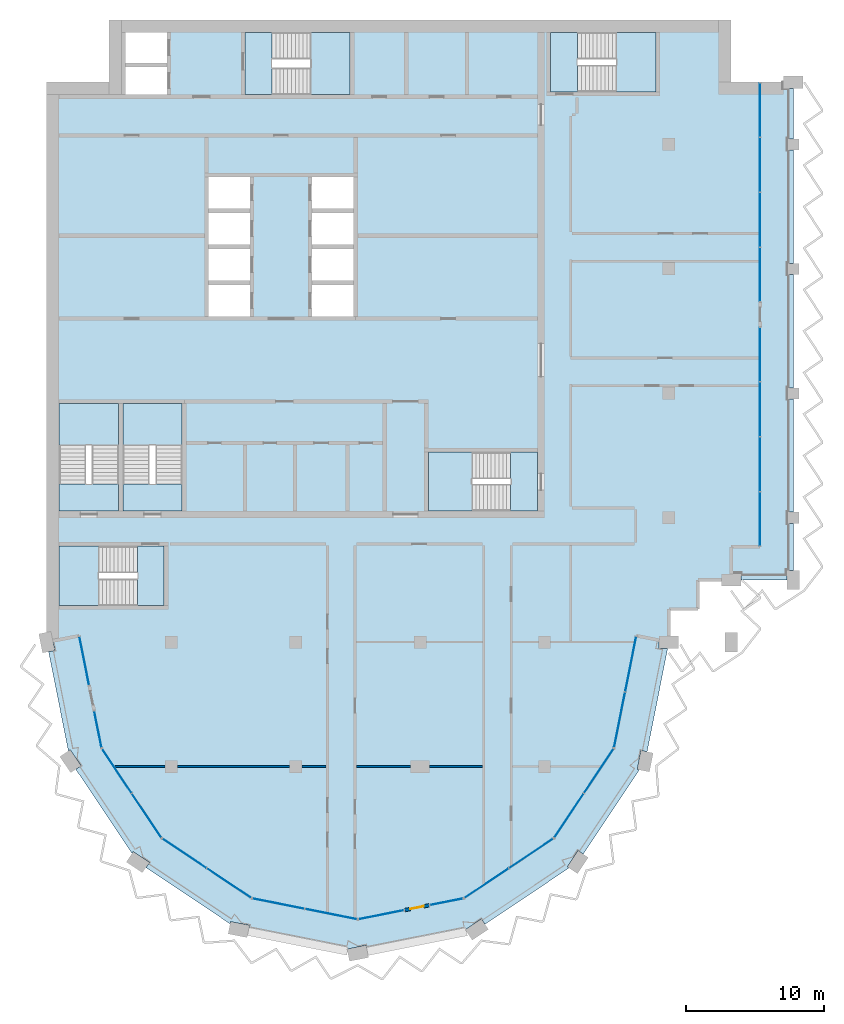
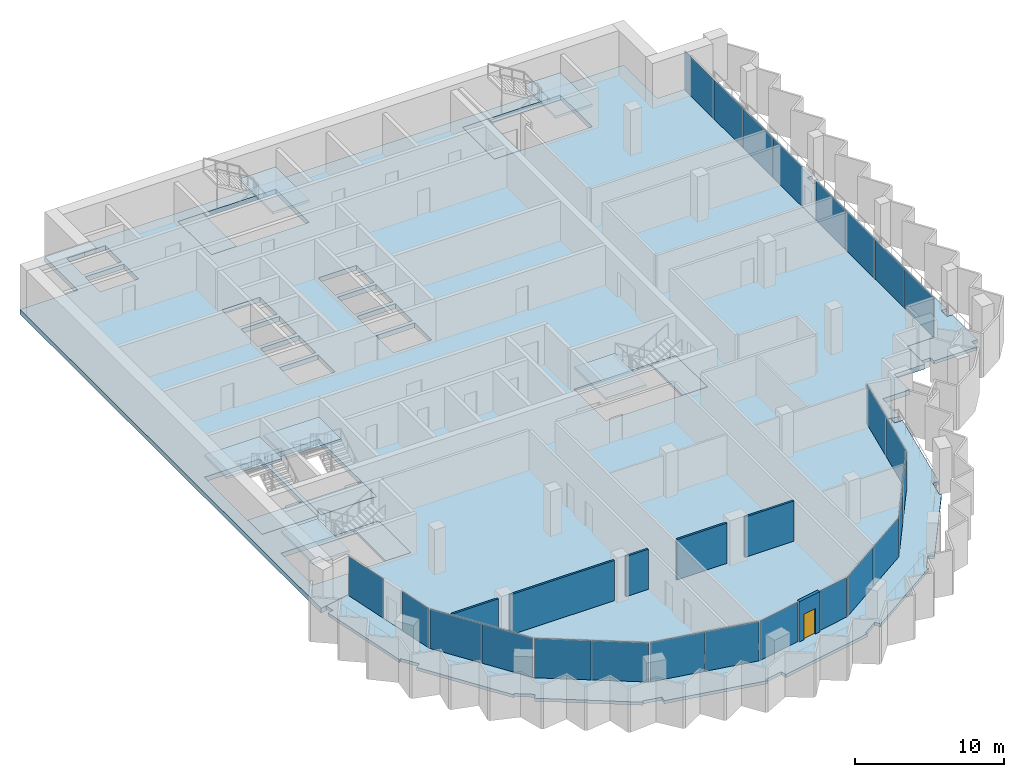
# One storey, part 5 of 13: 24 plates, 15 slabs, 6 walls, 1 door, 1 opening, 18 elements without a shape of their own.
"""IFC4 building model written with IfcOpenShell, lengths in metres."""

from ifc_helpers import new_model, si_unit, direction, frame, frame_2d, origin, origin_2d, place, context, subcontext, project, spatial, polyline, rectangle, outline, extrude, material, layer, layer_set, type_object, element, fill, aggregate, save


model = new_model("IFC4")

# Units and contexts
model_context = context("Model", 3, precision=1e-05, world=origin(), true_north=direction((0.0, 1.0)))
body_context = subcontext(model_context, "Body", "Model", "MODEL_VIEW")
ifc_project = project(units=[si_unit("LENGTHUNIT", "METRE"), si_unit("AREAUNIT", "SQUARE_METRE"), si_unit("VOLUMEUNIT", "CUBIC_METRE"), si_unit("PLANEANGLEUNIT", "RADIAN"), si_unit("MASSUNIT", "GRAM", prefix="KILO")], contexts=[model_context])

# Site, building, storey
site_placement = place(None, origin())
site = spatial("IfcSite", under=ifc_project, at=site_placement, CompositionType="ELEMENT")
building_placement = place(site_placement, origin())
building = spatial("IfcBuilding", under=site, at=building_placement, Name="Hunhe Ridgeline Campus", CompositionType="ELEMENT")
storey_placement = place(building_placement, frame((0.0, 0.0, 280.800048828125)))
storey = spatial("IfcBuildingStorey", under=building, at=storey_placement, Name="L72", CompositionType="ELEMENT", Elevation=280.800048828125)

# Curtain wall, plate
ifc_material_1 = material(Name="Aluminium 6063", Category="aluminium")
curtain_wall_type_1 = type_object("IfcCurtainWallType", Name="Curtain wall CW-5", PredefinedType="NOTDEFINED", material=ifc_material_1)
curtain_wall_1_placement = place(storey_placement, origin())
curtain_wall_1 = element("IfcCurtainWall", 1, at=curtain_wall_1_placement, inside=storey, type_object=curtain_wall_type_1, Name="Curtain wall 01", PredefinedType="NOTDEFINED")
ifc_material_2 = material(Name="Low-e laminated glass", Category="glass")
ifc_layer_1 = layer(ifc_material_2, 0.028076171875)
ifc_layer_set_1 = layer_set([ifc_layer_1], Name="Curtain wall glass panel 28 low-e laminated")
plate_type = type_object("IfcPlateType", Name="Curtain wall glass panel 28 low-e laminated", PredefinedType="CURTAIN_PANEL", material=ifc_layer_set_1)
plate_1_placement = place(storey_placement, frame((2.7158203125, 52.65380859375, 0.0), z_axis=(0.0, 0.0, 1.0), x_axis=(0.195095326561, -0.980784284924, 0.0)))
plate_1 = element("IfcPlate", 2, at=plate_1_placement, type_object=plate_type, Name="CW-5 panel 1", PredefinedType="CURTAIN_PANEL", context=body_context, shape_type="SweptSolid", body=[
    extrude(rectangle(XDim=3.560791015625, YDim=0.028076171875, at=origin_2d()), origin(), (0.0, 0.0, 1.0), 3.22998046875),
])
aggregate(curtain_wall_1, [plate_1])

curtain_wall_2_placement = place(storey_placement, origin())
curtain_wall_2 = element("IfcCurtainWall", 3, at=curtain_wall_2_placement, inside=storey, type_object=curtain_wall_type_1, Name="Curtain wall 02", PredefinedType="NOTDEFINED")
plate_2_placement = place(storey_placement, frame((3.701171875, 47.699951171875, 0.0), z_axis=(0.0, 0.0, 1.0), x_axis=(0.195095265587, -0.980784297053, 0.0)))
plate_2 = element("IfcPlate", 4, at=plate_2_placement, type_object=plate_type, Name="CW-5 panel 1", PredefinedType="CURTAIN_PANEL", context=body_context, shape_type="SweptSolid", body=[
    extrude(rectangle(XDim=2.660888671875, YDim=0.028076171875, at=origin_2d()), origin(), (0.0, 0.0, 1.0), 3.22998046875),
])
aggregate(curtain_wall_2, [plate_2])

# Curtain wall, plates
curtain_wall_3_placement = place(storey_placement, origin())
curtain_wall_3 = element("IfcCurtainWall", 5, at=curtain_wall_3_placement, inside=storey, type_object=curtain_wall_type_1, Name="Curtain wall 03", PredefinedType="NOTDEFINED")
plate_3_placement = place(storey_placement, frame((5.07080078125, 44.685546875, 0.0), z_axis=(0.0, 0.0, 1.0), x_axis=(0.555570274596, -0.831469584522, 0.0)))
plate_3 = element("IfcPlate", 6, at=plate_3_placement, type_object=plate_type, Name="CW-5 panel 1", PredefinedType="CURTAIN_PANEL", context=body_context, shape_type="SweptSolid", body=[
    extrude(rectangle(XDim=3.806884765625, YDim=0.028076171875, at=origin_2d()), origin(), (0.0, 0.0, 1.0), 3.22998046875),
])
plate_4_placement = place(storey_placement, frame((7.224609375, 41.4619140625, 0.0), z_axis=(0.0, 0.0, 1.0), x_axis=(0.555570274596, -0.831469584522, 0.0)))
plate_4 = element("IfcPlate", 7, at=plate_4_placement, type_object=plate_type, Name="CW-5 panel 2", PredefinedType="CURTAIN_PANEL", context=body_context, shape_type="SweptSolid", body=[
    extrude(rectangle(XDim=3.806884765625, YDim=0.028076171875, at=origin_2d()), origin(), (0.0, 0.0, 1.0), 3.22998046875),
])
aggregate(curtain_wall_3, [plate_3, plate_4])

curtain_wall_4_placement = place(storey_placement, origin())
curtain_wall_4 = element("IfcCurtainWall", 8, at=curtain_wall_4_placement, inside=storey, type_object=curtain_wall_type_1, Name="Curtain wall 04", PredefinedType="NOTDEFINED")
plate_5_placement = place(storey_placement, frame((9.9619140625, 38.724609375, 0.0), z_axis=(0.0, 0.0, 1.0), x_axis=(0.831469584522, -0.555570274596, 0.0)))
plate_5 = element("IfcPlate", 9, at=plate_5_placement, type_object=plate_type, Name="CW-5 panel 1", PredefinedType="CURTAIN_PANEL", context=body_context, shape_type="SweptSolid", body=[
    extrude(rectangle(XDim=3.806884765625, YDim=0.028076171875, at=origin_2d()), origin(), (0.0, 0.0, 1.0), 3.22998046875),
])
plate_6_placement = place(storey_placement, frame((13.185546875, 36.57080078125, 0.0), z_axis=(0.0, 0.0, 1.0), x_axis=(0.831469584522, -0.555570274596, 0.0)))
plate_6 = element("IfcPlate", 10, at=plate_6_placement, type_object=plate_type, Name="CW-5 panel 2", PredefinedType="CURTAIN_PANEL", context=body_context, shape_type="SweptSolid", body=[
    extrude(rectangle(XDim=3.806884765625, YDim=0.028076171875, at=origin_2d()), origin(), (0.0, 0.0, 1.0), 3.22998046875),
])
aggregate(curtain_wall_4, [plate_5, plate_6])

curtain_wall_5_placement = place(storey_placement, origin())
curtain_wall_5 = element("IfcCurtainWall", 11, at=curtain_wall_5_placement, inside=storey, type_object=curtain_wall_type_1, Name="Curtain wall 05", PredefinedType="NOTDEFINED")
plate_7_placement = place(storey_placement, frame((16.761962890625, 35.08935546875, 0.0), z_axis=(0.0, 0.0, 1.0), x_axis=(0.980785275326, -0.195090347539, 0.0)))
plate_7 = element("IfcPlate", 12, at=plate_7_placement, type_object=plate_type, Name="CW-5 panel 1", PredefinedType="CURTAIN_PANEL", context=body_context, shape_type="SweptSolid", body=[
    extrude(rectangle(XDim=3.806884765625, YDim=0.028076171875, at=origin_2d()), origin(), (0.0, 0.0, 1.0), 3.22998046875),
])
plate_8_placement = place(storey_placement, frame((20.564453125, 34.3330078125, 0.0), z_axis=(0.0, 0.0, 1.0), x_axis=(0.980785275326, -0.195090347539, 0.0)))
plate_8 = element("IfcPlate", 13, at=plate_8_placement, type_object=plate_type, Name="CW-5 panel 2", PredefinedType="CURTAIN_PANEL", context=body_context, shape_type="SweptSolid", body=[
    extrude(rectangle(XDim=3.806884765625, YDim=0.028076171875, at=origin_2d()), origin(), (0.0, 0.0, 1.0), 3.22998046875),
])
aggregate(curtain_wall_5, [plate_7, plate_8])

# Curtain wall, plate
curtain_wall_6_placement = place(storey_placement, origin())
curtain_wall_6 = element("IfcCurtainWall", 14, at=curtain_wall_6_placement, inside=storey, type_object=curtain_wall_type_1, Name="Curtain wall 06", PredefinedType="NOTDEFINED")
plate_9_placement = place(storey_placement, frame((24.19775390625, 34.28564453125, 0.0), z_axis=(0.0, 0.0, 1.0), x_axis=(0.980785270791, 0.19509037034, 0.0)))
plate_9 = element("IfcPlate", 15, at=plate_9_placement, type_object=plate_type, Name="CW-5 panel 1", PredefinedType="CURTAIN_PANEL", context=body_context, shape_type="SweptSolid", body=[
    extrude(rectangle(XDim=3.322021484375, YDim=0.028076171875, at=origin_2d()), origin(), (0.0, 0.0, 1.0), 3.22998046875),
])
aggregate(curtain_wall_6, [plate_9])

curtain_wall_7_placement = place(storey_placement, origin())
curtain_wall_7 = element("IfcCurtainWall", 16, at=curtain_wall_7_placement, inside=storey, type_object=curtain_wall_type_1, Name="Curtain wall 07", PredefinedType="NOTDEFINED")
plate_10_placement = place(storey_placement, frame((28.917236328125, 35.224609375, 0.0), z_axis=(0.0, 0.0, 1.0), x_axis=(0.980785242091, 0.195090514627, 0.0)))
plate_10 = element("IfcPlate", 17, at=plate_10_placement, type_object=plate_type, Name="CW-5 panel 1", PredefinedType="CURTAIN_PANEL", context=body_context, shape_type="SweptSolid", body=[
    extrude(rectangle(XDim=2.421875, YDim=0.028076171875, at=origin_2d()), origin(), (0.0, 0.0, 1.0), 3.22998046875),
])
aggregate(curtain_wall_7, [plate_10])

# Curtain wall, plates
curtain_wall_8_placement = place(storey_placement, origin())
curtain_wall_8 = element("IfcCurtainWall", 18, at=curtain_wall_8_placement, inside=storey, type_object=curtain_wall_type_1, Name="Curtain wall 08", PredefinedType="NOTDEFINED")
plate_11_placement = place(storey_placement, frame((31.814453125, 36.57080078125, 0.0), z_axis=(0.0, 0.0, 1.0), x_axis=(0.831469584522, 0.555570274596, 0.0)))
plate_11 = element("IfcPlate", 19, at=plate_11_placement, type_object=plate_type, Name="CW-5 panel 1", PredefinedType="CURTAIN_PANEL", context=body_context, shape_type="SweptSolid", body=[
    extrude(rectangle(XDim=3.806884765625, YDim=0.028076171875, at=origin_2d()), origin(), (0.0, 0.0, 1.0), 3.22998046875),
])
plate_12_placement = place(storey_placement, frame((35.0380859375, 38.724609375, 0.0), z_axis=(0.0, 0.0, 1.0), x_axis=(0.831469584522, 0.555570274596, 0.0)))
plate_12 = element("IfcPlate", 20, at=plate_12_placement, type_object=plate_type, Name="CW-5 panel 2", PredefinedType="CURTAIN_PANEL", context=body_context, shape_type="SweptSolid", body=[
    extrude(rectangle(XDim=3.806884765625, YDim=0.028076171875, at=origin_2d()), origin(), (0.0, 0.0, 1.0), 3.22998046875),
])
aggregate(curtain_wall_8, [plate_11, plate_12])

curtain_wall_9_placement = place(storey_placement, origin())
curtain_wall_9 = element("IfcCurtainWall", 21, at=curtain_wall_9_placement, inside=storey, type_object=curtain_wall_type_1, Name="Curtain wall 09", PredefinedType="NOTDEFINED")
plate_13_placement = place(storey_placement, frame((37.775390625, 41.4619140625, 0.0), z_axis=(0.0, 0.0, 1.0), x_axis=(0.555570274596, 0.831469584522, 0.0)))
plate_13 = element("IfcPlate", 22, at=plate_13_placement, type_object=plate_type, Name="CW-5 panel 1", PredefinedType="CURTAIN_PANEL", context=body_context, shape_type="SweptSolid", body=[
    extrude(rectangle(XDim=3.806884765625, YDim=0.028076171875, at=origin_2d()), origin(), (0.0, 0.0, 1.0), 3.22998046875),
])
plate_14_placement = place(storey_placement, frame((39.92919921875, 44.685546875, 0.0), z_axis=(0.0, 0.0, 1.0), x_axis=(0.555570274596, 0.831469584522, 0.0)))
plate_14 = element("IfcPlate", 23, at=plate_14_placement, type_object=plate_type, Name="CW-5 panel 2", PredefinedType="CURTAIN_PANEL", context=body_context, shape_type="SweptSolid", body=[
    extrude(rectangle(XDim=3.806884765625, YDim=0.028076171875, at=origin_2d()), origin(), (0.0, 0.0, 1.0), 3.22998046875),
])
aggregate(curtain_wall_9, [plate_13, plate_14])

curtain_wall_10_placement = place(storey_placement, origin())
curtain_wall_10 = element("IfcCurtainWall", 24, at=curtain_wall_10_placement, inside=storey, type_object=curtain_wall_type_1, Name="Curtain wall 10", PredefinedType="NOTDEFINED")
plate_15_placement = place(storey_placement, frame((41.433837890625, 48.379150390625, 0.0), z_axis=(0.0, 0.0, 1.0), x_axis=(0.19510421996, 0.980782515828, 0.0)))
plate_15 = element("IfcPlate", 25, at=plate_15_placement, type_object=plate_type, Name="CW-5 panel 1", PredefinedType="CURTAIN_PANEL", context=body_context, shape_type="SweptSolid", body=[
    extrude(rectangle(XDim=4.0458984375, YDim=0.028076171875, at=origin_2d()), origin(), (0.0, 0.0, 1.0), 3.22998046875),
])
plate_16_placement = place(storey_placement, frame((42.237060546875, 52.416015625, 0.0), z_axis=(0.0, 0.0, 1.0), x_axis=(0.19510421996, 0.980782515828, 0.0)))
plate_16 = element("IfcPlate", 26, at=plate_16_placement, type_object=plate_type, Name="CW-5 panel 2", PredefinedType="CURTAIN_PANEL", context=body_context, shape_type="SweptSolid", body=[
    extrude(rectangle(XDim=4.0458984375, YDim=0.028076171875, at=origin_2d()), origin(), (0.0, 0.0, 1.0), 3.22998046875),
])
aggregate(curtain_wall_10, [plate_15, plate_16])

curtain_wall_type_2 = type_object("IfcCurtainWallType", Name="Curtain wall CW-1", PredefinedType="NOTDEFINED", material=ifc_material_1)
curtain_wall_11_placement = place(storey_placement, origin())
curtain_wall_11 = element("IfcCurtainWall", 27, at=curtain_wall_11_placement, inside=storey, type_object=curtain_wall_type_2, Name="Curtain wall 11", PredefinedType="NOTDEFINED")
plate_17_placement = place(storey_placement, frame((51.59912109375, 62.9033203125, 0.0), z_axis=(0.0, 0.0, 1.0), x_axis=(0.0, 1.0, 0.0)))
plate_17 = element("IfcPlate", 28, at=plate_17_placement, type_object=plate_type, Name="CW-1 panel 1", PredefinedType="CURTAIN_PANEL", context=body_context, shape_type="SweptSolid", body=[
    extrude(rectangle(XDim=3.884765625, YDim=0.028076171875, at=origin_2d()), origin(), (0.0, 0.0, 1.0), 3.239990234375),
])
plate_18_placement = place(storey_placement, frame((51.59912109375, 66.86328125, 0.0), z_axis=(0.0, 0.0, 1.0), x_axis=(0.0, 1.0, 0.0)))
plate_18 = element("IfcPlate", 29, at=plate_18_placement, type_object=plate_type, Name="CW-1 panel 2", PredefinedType="CURTAIN_PANEL", context=body_context, shape_type="SweptSolid", body=[
    extrude(rectangle(XDim=3.914794921875, YDim=0.028076171875, at=origin_2d()), origin(), (0.0, 0.0, 1.0), 3.239990234375),
])
plate_19_placement = place(storey_placement, frame((51.59912109375, 70.838134765625, 0.0), z_axis=(0.0, 0.0, 1.0), x_axis=(0.0, 1.0, 0.0)))
plate_19 = element("IfcPlate", 30, at=plate_19_placement, type_object=plate_type, Name="CW-1 panel 3", PredefinedType="CURTAIN_PANEL", context=body_context, shape_type="SweptSolid", body=[
    extrude(rectangle(XDim=3.914794921875, YDim=0.028076171875, at=origin_2d()), origin(), (0.0, 0.0, 1.0), 3.239990234375),
])
plate_20_placement = place(storey_placement, frame((51.59912109375, 74.798095703125, 0.0), z_axis=(0.0, 0.0, 1.0), x_axis=(0.0, 1.0, 0.0)))
plate_20 = element("IfcPlate", 31, at=plate_20_placement, type_object=plate_type, Name="CW-1 panel 4", PredefinedType="CURTAIN_PANEL", context=body_context, shape_type="SweptSolid", body=[
    extrude(rectangle(XDim=3.884765625, YDim=0.028076171875, at=origin_2d()), origin(), (0.0, 0.0, 1.0), 3.239990234375),
])
aggregate(curtain_wall_11, [plate_17, plate_18, plate_19, plate_20])

curtain_wall_12_placement = place(storey_placement, origin())
curtain_wall_12 = element("IfcCurtainWall", 32, at=curtain_wall_12_placement, inside=storey, type_object=curtain_wall_type_2, Name="Curtain wall 12", PredefinedType="NOTDEFINED")
plate_21_placement = place(storey_placement, frame((51.59912109375, 80.60302734375, 0.0), z_axis=(0.0, 0.0, 1.0), x_axis=(0.0, 1.0, 0.0)))
plate_21 = element("IfcPlate", 33, at=plate_21_placement, type_object=plate_type, Name="CW-1 panel 1", PredefinedType="CURTAIN_PANEL", context=body_context, shape_type="SweptSolid", body=[
    extrude(rectangle(XDim=3.884765625, YDim=0.028076171875, at=origin_2d()), origin(), (0.0, 0.0, 1.0), 3.239990234375),
])
plate_22_placement = place(storey_placement, frame((51.59912109375, 84.562744140625, 0.0), z_axis=(0.0, 0.0, 1.0), x_axis=(0.0, 1.0, 0.0)))
plate_22 = element("IfcPlate", 34, at=plate_22_placement, type_object=plate_type, Name="CW-1 panel 2", PredefinedType="CURTAIN_PANEL", context=body_context, shape_type="SweptSolid", body=[
    extrude(rectangle(XDim=3.914794921875, YDim=0.028076171875, at=origin_2d()), origin(), (0.0, 0.0, 1.0), 3.239990234375),
])
plate_23_placement = place(storey_placement, frame((51.59912109375, 88.53759765625, 0.0), z_axis=(0.0, 0.0, 1.0), x_axis=(0.0, 1.0, 0.0)))
plate_23 = element("IfcPlate", 35, at=plate_23_placement, type_object=plate_type, Name="CW-1 panel 3", PredefinedType="CURTAIN_PANEL", context=body_context, shape_type="SweptSolid", body=[
    extrude(rectangle(XDim=3.914794921875, YDim=0.028076171875, at=origin_2d()), origin(), (0.0, 0.0, 1.0), 3.239990234375),
])
plate_24_placement = place(storey_placement, frame((51.59912109375, 92.49755859375, 0.0), z_axis=(0.0, 0.0, 1.0), x_axis=(0.0, 1.0, 0.0)))
plate_24 = element("IfcPlate", 36, at=plate_24_placement, type_object=plate_type, Name="CW-1 panel 4", PredefinedType="CURTAIN_PANEL", context=body_context, shape_type="SweptSolid", body=[
    extrude(rectangle(XDim=3.884765625, YDim=0.028076171875, at=origin_2d()), origin(), (0.0, 0.0, 1.0), 3.239990234375),
])
aggregate(curtain_wall_12, [plate_21, plate_22, plate_23, plate_24])

# Slabs
ifc_material_3 = material(Name="Concrete C40", Category="concrete")
ifc_layer_2 = layer(ifc_material_3, 0.39990234375)
ifc_layer_set_2 = layer_set([ifc_layer_2], Name="Floor slab 400 Concrete C40")
slab_type_1 = type_object("IfcSlabType", Name="Floor slab 400 Concrete C40", PredefinedType="FLOOR", material=ifc_layer_set_2)
slab_1_placement = place(storey_placement, frame((0.0, 0.0, -0.400146484375)))
element("IfcSlab", 37, at=slab_1_placement, inside=storey, type_object=slab_type_1, Name="Floor slab L72 1", PredefinedType="FLOOR", context=body_context, shape_type="SweptSolid", body=[
    extrude(outline(polyline([(36.678955078125, 39.821044921875), (41.025634765625, 46.326416015625), (42.645263671875, 54.46875), (44.9990234375, 54.001220703125), (44.999267578125, 56.400634765625), (47.09912109375, 56.40087890625), (47.099609375, 58.5009765625), (49.4990234375, 58.5009765625), (49.49951171875, 60.90087890625), (51.59912109375, 60.90087890625), (51.59912109375, 94.5), (49.5, 94.5), (49.5, 99.0), (4.5, 99.0), (4.5, 94.5), (0.0, 94.5), (0.0, 54.0009765625), (2.354736328125, 54.46875), (3.974365234375, 46.326416015625), (8.321044921875, 39.821044921875), (14.826416015625, 35.474365234375), (22.5, 33.947998046875), (30.173583984375, 35.474365234375), (36.678955078125, 39.821044921875)]), holes=[polyline([(44.050048828125, 98.10009765625), (36.449951171875, 98.10009765625), (36.449951171875, 93.800048828125), (44.050048828125, 93.800048828125), (44.050048828125, 98.10009765625)]), polyline([(27.60009765625, 67.75), (27.60009765625, 63.5), (35.5, 63.5), (35.5, 67.75), (27.60009765625, 67.75)]), polyline([(22.199951171875, 85.35009765625), (22.199951171875, 87.64990234375), (19.199951171875, 87.64990234375), (19.199951171875, 85.35009765625), (22.199951171875, 85.35009765625)]), polyline([(22.199951171875, 85.050048828125), (19.199951171875, 85.050048828125), (19.199951171875, 82.75), (22.199951171875, 82.75), (22.199951171875, 85.050048828125)]), polyline([(19.199951171875, 82.449951171875), (19.199951171875, 80.14990234375), (22.199951171875, 80.14990234375), (22.199951171875, 82.449951171875), (19.199951171875, 82.449951171875)]), polyline([(19.199951171875, 77.550048828125), (22.199951171875, 77.550048828125), (22.199951171875, 79.85009765625), (19.199951171875, 79.85009765625), (19.199951171875, 77.550048828125)]), polyline([(21.949951171875, 98.10009765625), (14.35009765625, 98.10009765625), (14.35009765625, 93.60009765625), (21.949951171875, 93.60009765625), (21.949951171875, 98.10009765625)]), polyline([(14.699951171875, 85.35009765625), (14.699951171875, 87.64990234375), (11.699951171875, 87.64990234375), (11.699951171875, 85.35009765625), (14.699951171875, 85.35009765625)]), polyline([(14.699951171875, 85.050048828125), (11.699951171875, 85.050048828125), (11.699951171875, 82.75), (14.699951171875, 82.75), (14.699951171875, 85.050048828125)]), polyline([(11.699951171875, 82.449951171875), (11.699951171875, 80.14990234375), (14.699951171875, 80.14990234375), (14.699951171875, 82.449951171875), (11.699951171875, 82.449951171875)]), polyline([(11.699951171875, 77.550048828125), (14.699951171875, 77.550048828125), (14.699951171875, 79.85009765625), (11.699951171875, 79.85009765625), (11.699951171875, 77.550048828125)]), polyline([(5.5, 63.5), (9.800048828125, 63.5), (9.800048828125, 71.25), (5.5, 71.25), (5.5, 63.5)]), polyline([(5.699951171875, 98.10009765625), (5.699951171875, 95.89990234375), (8.699951171875, 95.89990234375), (8.699951171875, 98.10009765625), (5.699951171875, 98.10009765625)]), polyline([(5.699951171875, 93.60009765625), (8.699951171875, 93.60009765625), (8.699951171875, 95.60009765625), (5.699951171875, 95.60009765625), (5.699951171875, 93.60009765625)]), polyline([(0.89990234375, 60.949951171875), (0.89990234375, 56.64990234375), (8.5, 56.64990234375), (8.5, 60.949951171875), (0.89990234375, 60.949951171875)]), polyline([(5.199951171875, 63.5), (5.199951171875, 71.25), (0.89990234375, 71.25), (0.89990234375, 63.5), (5.199951171875, 63.5)])]), origin(), (0.0, 0.0, 1.0), 0.400146484375),
])
ifc_layer_3 = layer(ifc_material_3, 0.25)
ifc_layer_set_3 = layer_set([ifc_layer_3], Name="Loggia slab 250 Concrete C40")
slab_type_2 = type_object("IfcSlabType", Name="Loggia slab 250 Concrete C40", PredefinedType="FLOOR", material=ifc_layer_set_3)
slab_2_placement = place(storey_placement, frame((0.0, 0.0, -0.25)))
element("IfcSlab", 38, at=slab_2_placement, inside=storey, type_object=slab_type_2, Name="Loggia slab 1", PredefinedType="FLOOR", context=body_context, shape_type="SweptSolid", body=[
    extrude(outline(polyline([(30.173828125, 35.473388671875), (22.5, 33.947021484375), (14.826171875, 35.473388671875), (8.3203125, 39.8203125), (3.973388671875, 46.326171875), (2.35400390625, 54.46826171875), (0.44140625, 54.087890625), (0.577880859375, 53.401123046875), (0.136474609375, 53.3134765625), (1.56494140625, 46.1328125), (1.697998046875, 46.2216796875), (2.475830078125, 45.0576171875), (2.1015625, 44.8076171875), (6.169189453125, 38.719970703125), (6.258056640625, 38.853271484375), (7.422119140625, 38.075439453125), (7.172119140625, 37.701171875), (13.259521484375, 33.633544921875), (13.290771484375, 33.79052734375), (14.6640625, 33.517578125), (14.576171875, 33.076171875), (21.7568359375, 31.647705078125), (21.7255859375, 31.8046875), (23.098876953125, 32.077880859375), (23.1865234375, 31.636474609375), (30.3671875, 33.06494140625), (30.2783203125, 33.197998046875), (31.4423828125, 33.975830078125), (31.6923828125, 33.6015625), (37.780029296875, 37.669189453125), (37.646728515625, 37.758056640625), (38.424560546875, 38.922119140625), (38.798828125, 38.672119140625), (42.866455078125, 44.759521484375), (42.70947265625, 44.790771484375), (42.982421875, 46.1640625), (43.423828125, 46.076171875), (44.910400390625, 53.550048828125), (44.300048828125, 53.550048828125), (44.300048828125, 54.13916015625), (42.64599609375, 54.46826171875), (41.026611328125, 46.326171875), (36.6796875, 39.8203125), (30.173828125, 35.473388671875)])), origin(), (0.0, 0.0, 1.0), 0.25),
])
slab_3_placement = place(storey_placement, frame((0.0, 0.0, -0.25)))
element("IfcSlab", 39, at=slab_3_placement, inside=storey, type_object=slab_type_2, Name="Loggia slab 2", PredefinedType="FLOOR", context=body_context, shape_type="SweptSolid", body=[
    extrude(outline(polyline([(49.5, 58.949951171875), (50.199951171875, 58.949951171875), (50.199951171875, 58.5), (53.550048828125, 58.5), (53.550048828125, 59.199951171875), (54.0, 59.199951171875), (54.0, 62.60009765625), (53.60009765625, 62.60009765625), (53.60009765625, 63.39990234375), (54.0, 63.39990234375), (54.0, 71.60009765625), (53.60009765625, 71.60009765625), (53.60009765625, 72.39990234375), (54.0, 72.39990234375), (54.0, 80.60009765625), (53.60009765625, 80.60009765625), (53.60009765625, 81.39990234375), (54.0, 81.39990234375), (54.0, 89.60009765625), (53.60009765625, 89.60009765625), (53.60009765625, 90.39990234375), (54.0, 90.39990234375), (54.0, 94.050048828125), (53.300048828125, 94.050048828125), (53.300048828125, 94.5), (51.60009765625, 94.5), (51.60009765625, 60.89990234375), (49.5, 60.89990234375), (49.5, 58.949951171875)])), origin(), (0.0, 0.0, 1.0), 0.25),
])

# Stair, slab
stair_type = type_object("IfcStairType", Name="Reinforced concrete dog-leg stair 1950 Concrete C40", PredefinedType="HALF_TURN_STAIR", material=ifc_material_3)
stair_1_placement = place(storey_placement, origin())
stair_1 = element("IfcStair", 40, at=stair_1_placement, inside=storey, type_object=stair_type, Name="L72 S1", PredefinedType="HALF_TURN_STAIR")
ifc_layer_4 = layer(ifc_material_3, 0.199951171875)
ifc_layer_set_4 = layer_set([ifc_layer_4], Name="Reinforced concrete stair landing 200 Concrete C40")
slab_type_3 = type_object("IfcSlabType", Name="Reinforced concrete stair landing 200 Concrete C40", PredefinedType="LANDING", material=ifc_layer_set_4)
slab_4_placement = place(storey_placement, frame((0.0, 0.0, 1.64990234375)))
slab_4 = element("IfcSlab", 41, at=slab_4_placement, type_object=slab_type_3, Name="ST1 landing 1", PredefinedType="LANDING", context=body_context, shape_type="SweptSolid", body=[
    extrude(outline(polyline([(19.10009765625, 93.60009765625), (21.949951171875, 93.60009765625), (21.949951171875, 98.10009765625), (19.10009765625, 98.10009765625), (19.10009765625, 93.60009765625)])), origin(), (0.0, 0.0, 1.0), 0.199951171875),
])
aggregate(stair_1, [slab_4])

# Slab
slab_5_placement = place(storey_placement, frame((0.0, 0.0, -0.199951171875)))
element("IfcSlab", 42, at=slab_5_placement, inside=storey, type_object=slab_type_3, Name="L72 stair S1 floor landing", PredefinedType="LANDING", context=body_context, shape_type="SweptSolid", body=[
    extrude(outline(polyline([(14.35009765625, 93.60009765625), (16.300048828125, 93.60009765625), (16.300048828125, 98.10009765625), (14.35009765625, 98.10009765625), (14.35009765625, 93.60009765625)])), origin(), (0.0, 0.0, 1.0), 0.199951171875),
])

# Stair, slab
stair_2_placement = place(storey_placement, origin())
stair_2 = element("IfcStair", 43, at=stair_2_placement, inside=storey, type_object=stair_type, Name="L72 S2", PredefinedType="HALF_TURN_STAIR")
slab_6_placement = place(storey_placement, frame((0.0, 0.0, 1.64990234375)))
slab_6 = element("IfcSlab", 44, at=slab_6_placement, type_object=slab_type_3, Name="ST2 landing 1", PredefinedType="LANDING", context=body_context, shape_type="SweptSolid", body=[
    extrude(outline(polyline([(30.75, 67.75), (27.60009765625, 67.75), (27.60009765625, 63.5), (30.75, 63.5), (30.75, 67.75)])), origin(), (0.0, 0.0, 1.0), 0.199951171875),
])
aggregate(stair_2, [slab_6])

# Slab
slab_7_placement = place(storey_placement, frame((0.0, 0.0, -0.199951171875)))
element("IfcSlab", 45, at=slab_7_placement, inside=storey, type_object=slab_type_3, Name="L72 stair S2 floor landing", PredefinedType="LANDING", context=body_context, shape_type="SweptSolid", body=[
    extrude(outline(polyline([(35.5, 67.75), (33.550048828125, 67.75), (33.550048828125, 63.5), (35.5, 63.5), (35.5, 67.75)])), origin(), (0.0, 0.0, 1.0), 0.199951171875),
])

# Stair, slab
stair_3_placement = place(storey_placement, origin())
stair_3 = element("IfcStair", 46, at=stair_3_placement, inside=storey, type_object=stair_type, Name="L72 S3", PredefinedType="HALF_TURN_STAIR")
slab_8_placement = place(storey_placement, frame((0.0, 0.0, 1.64990234375)))
slab_8 = element("IfcSlab", 47, at=slab_8_placement, type_object=slab_type_3, Name="ST3 landing 1", PredefinedType="LANDING", context=body_context, shape_type="SweptSolid", body=[
    extrude(outline(polyline([(5.199951171875, 68.25), (5.199951171875, 71.25), (0.89990234375, 71.25), (0.89990234375, 68.25), (5.199951171875, 68.25)])), origin(), (0.0, 0.0, 1.0), 0.199951171875),
])
aggregate(stair_3, [slab_8])

# Slab
slab_9_placement = place(storey_placement, frame((0.0, 0.0, -0.199951171875)))
element("IfcSlab", 48, at=slab_9_placement, inside=storey, type_object=slab_type_3, Name="L72 stair S3 floor landing", PredefinedType="LANDING", context=body_context, shape_type="SweptSolid", body=[
    extrude(outline(polyline([(5.199951171875, 63.5), (5.199951171875, 65.449951171875), (0.89990234375, 65.449951171875), (0.89990234375, 63.5), (5.199951171875, 63.5)])), origin(), (0.0, 0.0, 1.0), 0.199951171875),
])

# Stair, slab
stair_4_placement = place(storey_placement, origin())
stair_4 = element("IfcStair", 49, at=stair_4_placement, inside=storey, type_object=stair_type, Name="L72 S4", PredefinedType="HALF_TURN_STAIR")
slab_10_placement = place(storey_placement, frame((0.0, 0.0, 1.64990234375)))
slab_10 = element("IfcSlab", 50, at=slab_10_placement, type_object=slab_type_3, Name="ST4 landing 1", PredefinedType="LANDING", context=body_context, shape_type="SweptSolid", body=[
    extrude(outline(polyline([(9.800048828125, 68.25), (9.800048828125, 71.25), (5.5, 71.25), (5.5, 68.25), (9.800048828125, 68.25)])), origin(), (0.0, 0.0, 1.0), 0.199951171875),
])
aggregate(stair_4, [slab_10])

# Slab
slab_11_placement = place(storey_placement, frame((0.0, 0.0, -0.199951171875)))
element("IfcSlab", 51, at=slab_11_placement, inside=storey, type_object=slab_type_3, Name="L72 stair S4 floor landing", PredefinedType="LANDING", context=body_context, shape_type="SweptSolid", body=[
    extrude(outline(polyline([(9.800048828125, 63.5), (9.800048828125, 65.449951171875), (5.5, 65.449951171875), (5.5, 63.5), (9.800048828125, 63.5)])), origin(), (0.0, 0.0, 1.0), 0.199951171875),
])

# Stair, slab
stair_5_placement = place(storey_placement, origin())
stair_5 = element("IfcStair", 52, at=stair_5_placement, inside=storey, type_object=stair_type, Name="L72 E1", PredefinedType="HALF_TURN_STAIR")
slab_12_placement = place(storey_placement, frame((0.0, 0.0, 1.64990234375)))
slab_12 = element("IfcSlab", 53, at=slab_12_placement, type_object=slab_type_3, Name="ST5 landing 1", PredefinedType="LANDING", context=body_context, shape_type="SweptSolid", body=[
    extrude(outline(polyline([(41.199951171875, 93.800048828125), (44.050048828125, 93.800048828125), (44.050048828125, 98.10009765625), (41.199951171875, 98.10009765625), (41.199951171875, 93.800048828125)])), origin(), (0.0, 0.0, 1.0), 0.199951171875),
])
aggregate(stair_5, [slab_12])

# Slab
slab_13_placement = place(storey_placement, frame((0.0, 0.0, -0.199951171875)))
element("IfcSlab", 54, at=slab_13_placement, inside=storey, type_object=slab_type_3, Name="L72 stair E1 floor landing", PredefinedType="LANDING", context=body_context, shape_type="SweptSolid", body=[
    extrude(outline(polyline([(36.449951171875, 93.800048828125), (38.39990234375, 93.800048828125), (38.39990234375, 98.10009765625), (36.449951171875, 98.10009765625), (36.449951171875, 93.800048828125)])), origin(), (0.0, 0.0, 1.0), 0.199951171875),
])

# Stair, slab
stair_6_placement = place(storey_placement, origin())
stair_6 = element("IfcStair", 55, at=stair_6_placement, inside=storey, type_object=stair_type, Name="L72 W2", PredefinedType="HALF_TURN_STAIR")
slab_14_placement = place(storey_placement, frame((0.0, 0.0, 1.64990234375)))
slab_14 = element("IfcSlab", 56, at=slab_14_placement, type_object=slab_type_3, Name="ST12 landing 1", PredefinedType="LANDING", context=body_context, shape_type="SweptSolid", body=[
    extrude(outline(polyline([(3.75, 60.949951171875), (0.89990234375, 60.949951171875), (0.89990234375, 56.64990234375), (3.75, 56.64990234375), (3.75, 60.949951171875)])), origin(), (0.0, 0.0, 1.0), 0.199951171875),
])
aggregate(stair_6, [slab_14])

# Slab
slab_15_placement = place(storey_placement, frame((0.0, 0.0, -0.199951171875)))
element("IfcSlab", 57, at=slab_15_placement, inside=storey, type_object=slab_type_3, Name="L72 stair W2 floor landing", PredefinedType="LANDING", context=body_context, shape_type="SweptSolid", body=[
    extrude(outline(polyline([(8.5, 60.949951171875), (6.550048828125, 60.949951171875), (6.550048828125, 56.64990234375), (8.5, 56.64990234375), (8.5, 60.949951171875)])), origin(), (0.0, 0.0, 1.0), 0.199951171875),
])

# Wall, opening, door
ifc_material_4 = material(Name="Concrete C30", Category="concrete")
ifc_layer_5 = layer(ifc_material_4, 0.25)
ifc_layer_set_5 = layer_set([ifc_layer_5], Name="Loggia door pier wall 250 Concrete C30")
wall_type_1 = type_object("IfcWallType", Name="Loggia door pier wall 250 Concrete C30", PredefinedType="SOLIDWALL", material=ifc_layer_set_5)
wall_1_placement = place(storey_placement, frame((25.8955078125, 34.62353515625, 0.0), z_axis=(0.0, 0.0, 1.0), x_axis=(0.980793982239, 0.195046569833, 0.0)))
wall_1 = element("IfcWall", 58, at=wall_1_placement, inside=storey, type_object=wall_type_1, Name="Loggia door pier 2", PredefinedType="SOLIDWALL", context=body_context, shape_type="SweptSolid", body=[
    extrude(rectangle(XDim=1.800048828125, YDim=0.25, at=frame_2d((0.89990234375, 0.0))), origin(), (0.0, 0.0, 1.0), 3.300048828125),
])
opening_placement = place(wall_1_placement, frame((0.39990234375, 0.0, 0.0)))
opening = element("IfcOpeningElement", 59, at=opening_placement, cuts=wall_1, Name="Opening BD603", PredefinedType="OPENING", context=body_context, shape_type="SweptSolid", body=[
    extrude(rectangle(XDim=1.0, YDim=2.10009765625, at=frame_2d((0.5, 1.050048828125))), frame((0.0, 0.125, 0.0), z_axis=(0.0, -1.0, 0.0), x_axis=(1.0, 0.0, 0.0)), (0.0, 0.0, 1.0), 0.25),
])
door_type = type_object("IfcDoorType", Name="Loggia glazed door 1000x2100", OperationType="NOTDEFINED", PredefinedType="DOOR", material=ifc_material_1)
door_placement = place(opening_placement, frame((1.0, 0.0, 0.0), z_axis=(0.0, 0.0, 1.0), x_axis=(-1.0, 0.0, 0.0)))
door = element("IfcDoor", 60, at=door_placement, inside=storey, type_object=door_type, Name="Loggia door BD603", OperationType="SINGLE_SWING_RIGHT", OverallHeight=2.10009765625, OverallWidth=1.0, PredefinedType="DOOR", context=body_context, shape_type="SweptSolid", body=[
    extrude(rectangle(XDim=1.0, YDim=2.10009765625, at=frame_2d((0.5, 1.050048828125))), frame((0.0, 0.02490234375, 0.0), z_axis=(0.0, -1.0, 0.0), x_axis=(1.0, 0.0, 0.0)), (0.0, 0.0, 1.0), 0.050048828125),
])
fill(opening, door)

# Walls
ifc_material_5 = material(Name="Gypsum board partition")
ifc_layer_6 = layer(ifc_material_5, 0.14990234375)
ifc_layer_set_6 = layer_set([ifc_layer_6], Name="Room partition 150 gypsum board on steel studs")
wall_type_2 = type_object("IfcWallType", Name="Room partition 150 gypsum board on steel studs", PredefinedType="PARTITIONING", material=ifc_layer_set_6)
wall_2_placement = place(storey_placement, frame((4.925537109375, 45.0, 0.0), z_axis=(0.0, 0.0, 1.0), x_axis=(1.0, 0.0, 0.0)))
element("IfcWall", 61, at=wall_2_placement, inside=storey, type_object=wall_type_2, Name="F-L72-wall-001", PredefinedType="PARTITIONING", context=body_context, shape_type="SweptSolid", body=[
    extrude(rectangle(XDim=3.62451171875, YDim=0.14990234375, at=frame_2d((1.812255859375, 0.0))), origin(), (0.0, 0.0, 1.0), 3.300048828125),
])
wall_3_placement = place(storey_placement, frame((9.449951171875, 45.0, 0.0), z_axis=(0.0, 0.0, 1.0), x_axis=(1.0, 0.0, 0.0)))
element("IfcWall", 62, at=wall_3_placement, inside=storey, type_object=wall_type_2, Name="F-L72-wall-002", PredefinedType="PARTITIONING", context=body_context, shape_type="SweptSolid", body=[
    extrude(rectangle(XDim=8.10009765625, YDim=0.14990234375, at=frame_2d((4.050048828125, 0.0))), origin(), (0.0, 0.0, 1.0), 3.300048828125),
])
wall_4_placement = place(storey_placement, frame((18.449951171875, 45.0, 0.0), z_axis=(0.0, 0.0, 1.0), x_axis=(1.0, 0.0, 0.0)))
element("IfcWall", 63, at=wall_4_placement, inside=storey, type_object=wall_type_2, Name="F-L72-wall-003", PredefinedType="PARTITIONING", context=body_context, shape_type="SweptSolid", body=[
    extrude(rectangle(XDim=1.75, YDim=0.14990234375, at=frame_2d((0.875, 0.0))), origin(), (0.0, 0.0, 1.0), 3.300048828125),
])
wall_5_placement = place(storey_placement, frame((22.39990234375, 45.0, 0.0), z_axis=(0.0, 0.0, 1.0), x_axis=(1.0, 0.0, 0.0)))
element("IfcWall", 64, at=wall_5_placement, inside=storey, type_object=wall_type_2, Name="F-L72-wall-004", PredefinedType="PARTITIONING", context=body_context, shape_type="SweptSolid", body=[
    extrude(rectangle(XDim=3.900146484375, YDim=0.14990234375, at=frame_2d((1.9501953125, 0.0))), origin(), (0.0, 0.0, 1.0), 3.300048828125),
])
wall_6_placement = place(storey_placement, frame((27.699951171875, 45.0, 0.0), z_axis=(0.0, 0.0, 1.0), x_axis=(1.0, 0.0, 0.0)))
element("IfcWall", 65, at=wall_6_placement, inside=storey, type_object=wall_type_2, Name="F-L72-wall-005", PredefinedType="PARTITIONING", context=body_context, shape_type="SweptSolid", body=[
    extrude(rectangle(XDim=3.800048828125, YDim=0.14990234375, at=frame_2d((1.89990234375, 0.0))), origin(), (0.0, 0.0, 1.0), 3.300048828125),
])

save(model, "model.ifc")
